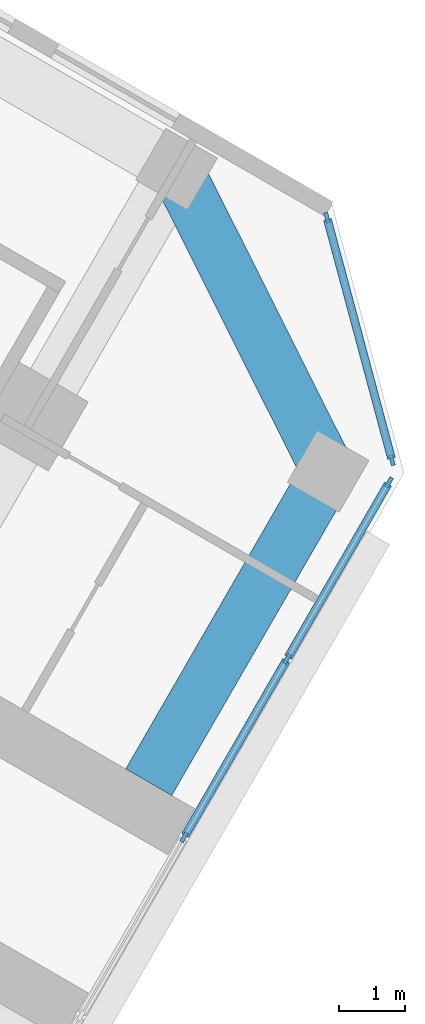
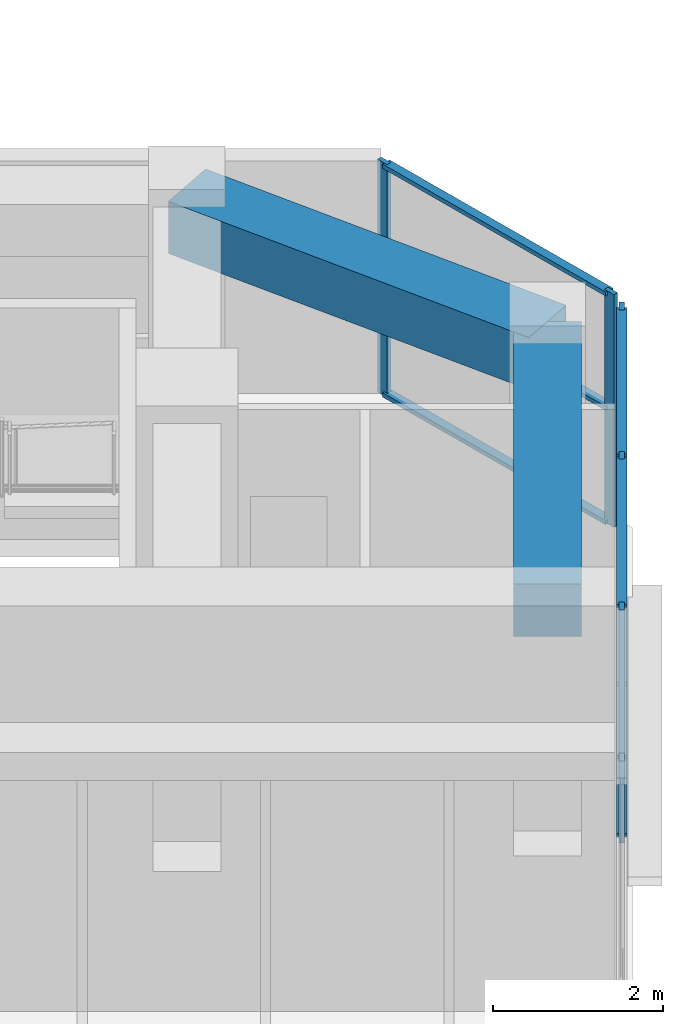
# One storey, part 8 of 19: 12 members, 2 beams, 2 elements without a shape of their own.
"""IFC4 building model written with IfcOpenShell, lengths in metres."""

import ifcopenshell
import ifcopenshell.guid

model = None  # the IFC model being written
_history = None  # IfcOwnerHistory: only IFC2X3 demands one
_inside = {}  # id of a spatial element -> (the spatial element, [elements in it])
_under = {}  # id of a project, library or spatial element -> (it, [spatial elements below it])
_declared = {}  # id of a project -> (the project, [libraries it declares])
_typed = {}  # id of a type object -> (the type object, [elements of that type])
_made_of = {}  # id of a material, layer set ... -> (it, [elements and type objects made of it])


def new_model(schema):
    """Start an empty IFC model of exactly this schema.

    Asked for "IFC4X3", IfcOpenShell would pick the latest addendum, in which some entities
    have other attributes; the version numbers below select the first issue.
    IFC2X3 requires an IfcOwnerHistory on every rooted entity: one is made here for all.
    """
    global model, _history
    if schema == "IFC4X3":
        model = ifcopenshell.file(schema_version=(4, 3, 0, 0))
    else:
        model = ifcopenshell.file(schema=schema)
    _inside.clear()
    _under.clear()
    _declared.clear()
    _typed.clear()
    _made_of.clear()
    _history = None
    if model.schema == "IFC2X3":
        org = make("IfcOrganization", Name="unknown")
        user = make(
            "IfcPersonAndOrganization",
            ThePerson=make("IfcPerson", FamilyName="unknown"),
            TheOrganization=org,
        )
        app = make(
            "IfcApplication",
            ApplicationDeveloper=org,
            Version="unknown",
            ApplicationFullName="unknown",
            ApplicationIdentifier="unknown",
        )
        _history = make(
            "IfcOwnerHistory",
            OwningUser=user,
            OwningApplication=app,
            ChangeAction="ADDED",
            CreationDate=0,
        )
    return model


def make(cls, **values):
    """One entity of the class cls with the attributes given. An attribute that is None is left unset."""
    return model.create_entity(
        cls, **{name: value for name, value in values.items() if value is not None}
    )


def rooted(cls, **values):
    """An entity with a GlobalId (a new one), such as an element, a storey or a relation."""
    return make(cls, GlobalId=ifcopenshell.guid.new(), OwnerHistory=_history, **values)


def si_unit(unit_type, name, prefix=None):
    """IfcSIUnit, for example si_unit("LENGTHUNIT", "METRE", prefix="MILLI")."""
    return make("IfcSIUnit", UnitType=unit_type, Prefix=prefix, Name=name)


def assignment(units):
    """IfcUnitAssignment: the units of a project."""
    return None if units is None else make("IfcUnitAssignment", Units=units)


def point(xyz):
    """IfcCartesianPoint."""
    return None if xyz is None else make("IfcCartesianPoint", Coordinates=xyz)


def direction(xyz):
    """IfcDirection."""
    return None if xyz is None else make("IfcDirection", DirectionRatios=xyz)


def frame(location, z_axis=None, x_axis=None):
    """IfcAxis2Placement3D, a coordinate frame: its origin and axes. An axis left out is left unset."""
    return make(
        "IfcAxis2Placement3D",
        Location=point(location),
        Axis=direction(z_axis),
        RefDirection=direction(x_axis),
    )


def frame_2d(location, x_axis=None):
    """IfcAxis2Placement2D, a coordinate frame in the plane: its origin and x axis."""
    return make(
        "IfcAxis2Placement2D", Location=point(location), RefDirection=direction(x_axis)
    )


def origin():
    """The frame at (0, 0, 0) with its axes left unset."""
    return frame((0.0, 0.0, 0.0))


def origin_2d():
    """The frame at (0, 0) in the plane with its x axis left unset."""
    return frame_2d((0.0, 0.0))


def place(relative_to, where):
    """IfcLocalPlacement: puts the frame where relative to a parent placement (None: the world)."""
    return make(
        "IfcLocalPlacement", PlacementRelTo=relative_to, RelativePlacement=where
    )


def context(
    kind, dimensions, precision=None, world=None, true_north=None, identifier=None
):
    """IfcGeometricRepresentationContext, for example the 3D "Model" context."""
    return make(
        "IfcGeometricRepresentationContext",
        ContextIdentifier=identifier,
        ContextType=kind,
        CoordinateSpaceDimension=dimensions,
        Precision=precision,
        WorldCoordinateSystem=world,
        TrueNorth=true_north,
    )


def subcontext(parent, identifier, kind, view, scale=None):
    """IfcGeometricRepresentationSubContext, for example "Body" below "Model"."""
    return make(
        "IfcGeometricRepresentationSubContext",
        ContextIdentifier=identifier,
        ContextType=kind,
        ParentContext=parent,
        TargetScale=scale,
        TargetView=view,
    )


def project(units=None, contexts=None):
    """IfcProject with its units and contexts."""
    return rooted(
        "IfcProject",
        Name="project",
        RepresentationContexts=contexts,
        UnitsInContext=assignment(units),
    )


def spatial(cls, under=None, at=None, **own):
    """A site, building, storey or space (cls), placed at a placement, below another one or the project."""
    s = rooted(cls, ObjectPlacement=at, **own)
    if under is not None:
        _under.setdefault(under.id(), (under, []))[1].append(s)
    return s


def profile(cls, at=None, kind="AREA", **sizes):
    """A parametric profile (cls). Its sizes go by their IFC names, for example OverallWidth=200.0."""
    return make(cls, ProfileType=kind, Position=at, **sizes)


def rectangle(**sizes):
    """IfcRectangleProfileDef."""
    return profile("IfcRectangleProfileDef", **sizes)


def extrude(swept, where, along, depth):
    """IfcExtrudedAreaSolid: the profile swept, set in the frame where, extruded along a direction by depth."""
    return make(
        "IfcExtrudedAreaSolid",
        SweptArea=swept,
        Position=where,
        ExtrudedDirection=direction(along),
        Depth=depth,
    )


def shape(context_of_items, identifier, shape_type, items):
    """IfcShapeRepresentation: the items that make up one representation, for example the "Body"."""
    return make(
        "IfcShapeRepresentation",
        ContextOfItems=context_of_items,
        RepresentationIdentifier=identifier,
        RepresentationType=shape_type,
        Items=items,
    )


def material(Name=None, Category=None):
    """IfcMaterial."""
    return make("IfcMaterial", Name=Name, Category=Category)


def material_profile(
    of_material, cross_section, Name=None, Category=None, Priority=None
):
    """IfcMaterialProfile: a cross section and its material."""
    return make(
        "IfcMaterialProfile",
        Name=Name,
        Material=of_material,
        Profile=cross_section,
        Priority=Priority,
        Category=Category,
    )


def profile_set(profiles, Name=None, composite=None):
    """IfcMaterialProfileSet."""
    return make(
        "IfcMaterialProfileSet",
        Name=Name,
        MaterialProfiles=profiles,
        CompositeProfile=composite,
    )


def made_of(thing, what):
    """Note that an element or type object is made of a material, layer set ...; save() writes the relation."""
    if what is not None:
        _made_of.setdefault(what.id(), (what, []))[1].append(thing)
    return thing


def type_object(cls, material=None, **own):
    """A type object (cls), such as IfcWallType, which elements share."""
    return made_of(rooted(cls, **own), material)


def element(
    cls,
    number,
    at=None,
    inside=None,
    cuts=None,
    type_object=None,
    material=None,
    context=None,
    identifier="Body",
    shape_type=None,
    held_by="IfcProductDefinitionShape",
    body=None,
    shapes=None,
    **own,
):
    """One element of the class cls, such as IfcWall. Its Tag is "e" and its number.

    at: its placement. inside: the storey or other place that contains it. cuts: it is an
    opening in that element (IfcRelVoidsElement). A single representation is given by context,
    identifier, shape_type and body (its items); several are given by shapes. held_by: the class
    of the entity that holds the representations. save() writes the other relations.
    """
    e = rooted(cls, Tag="e%d" % number, ObjectPlacement=at, **own)
    if body is not None:
        shapes = [shape(context, identifier, shape_type, body)]
    if shapes is not None:
        e.Representation = make(held_by, Representations=shapes)
    if inside is not None:
        _inside.setdefault(inside.id(), (inside, []))[1].append(e)
    if cuts is not None:
        rooted(
            "IfcRelVoidsElement", RelatingBuildingElement=cuts, RelatedOpeningElement=e
        )
    if type_object is not None:
        _typed.setdefault(type_object.id(), (type_object, []))[1].append(e)
    return made_of(e, material)


def aggregate(whole, parts):
    """IfcRelAggregates: a whole, such as a stair, and the parts it consists of."""
    return rooted("IfcRelAggregates", RelatingObject=whole, RelatedObjects=parts)


def save(model, path):
    """Write the relations noted so far, then the file.

    IfcRelAggregates (storeys below a building ...), IfcRelContainedInSpatialStructure (elements
    in a storey), IfcRelDefinesByType, IfcRelAssociatesMaterial and IfcRelDeclares: one each for
    every whole, place, type object, material and project.
    """
    for whole, parts in _under.values():
        aggregate(whole, parts)
    for where, things in _inside.values():
        rooted(
            "IfcRelContainedInSpatialStructure",
            RelatedElements=things,
            RelatingStructure=where,
        )
    for kind, things in _typed.values():
        rooted("IfcRelDefinesByType", RelatedObjects=things, RelatingType=kind)
    for what, things in _made_of.values():
        rooted("IfcRelAssociatesMaterial", RelatedObjects=things, RelatingMaterial=what)
    for by, libraries in _declared.values():
        rooted("IfcRelDeclares", RelatingContext=by, RelatedDefinitions=libraries)
    model.write(path)


model = new_model("IFC4")

# Units and contexts
model_context = context("Model", 3, precision=1e-05, world=origin(), true_north=direction((0.0, 1.0)))
body_context = subcontext(model_context, "Body", "Model", "MODEL_VIEW")
ifc_project = project(units=[si_unit("LENGTHUNIT", "METRE"), si_unit("AREAUNIT", "SQUARE_METRE"), si_unit("VOLUMEUNIT", "CUBIC_METRE"), si_unit("PLANEANGLEUNIT", "RADIAN"), si_unit("MASSUNIT", "GRAM", prefix="KILO")], contexts=[model_context])

# Site, building, storey
site_placement = place(None, origin())
site = spatial("IfcSite", under=ifc_project, at=site_placement, CompositionType="ELEMENT")
building_placement = place(site_placement, origin())
building = spatial("IfcBuilding", under=site, at=building_placement, Name="Kosmar Iwan School Tower", CompositionType="ELEMENT")
storey_placement = place(building_placement, frame((0.0, 0.0, 134.60009765625)))
storey = spatial("IfcBuildingStorey", under=building, at=storey_placement, Name="L33", CompositionType="ELEMENT", Elevation=134.60009765625)

# Curtain wall, members
ifc_material_1 = material(Name="Dark glass in black aluminium frame", Category="aluminium")
curtain_wall_type_1 = type_object("IfcCurtainWallType", Name="Tower curtain wall dark glass", PredefinedType="USERDEFINED", material=ifc_material_1)
curtain_wall_1_placement = place(storey_placement, origin())
curtain_wall_1 = element("IfcCurtainWall", 1, at=curtain_wall_1_placement, inside=storey, type_object=curtain_wall_type_1, Name="Curtain wall L33-F03", ObjectType="UNITISED CURTAIN WALL", PredefinedType="USERDEFINED")
ifc_material_2 = material(Name="Black anodised aluminium", Category="aluminium")
ifc_material_profile_1 = material_profile(ifc_material_2, rectangle(XDim=0.06005859375, YDim=0.159912109375, at=origin_2d()), Name="MULLION 60x160")
ifc_profile_set_1 = profile_set([ifc_material_profile_1], Name="Black anodised aluminium")
member_type_1 = type_object("IfcMemberType", Name="Mullion 60x160", PredefinedType="MULLION", material=ifc_profile_set_1)
member_1_placement = place(storey_placement, frame((30.631103515625, -15.8955078125, 0.0), z_axis=(0.0, 0.0, 1.0), x_axis=(-0.866025405329, 0.499999997325, 0.0)))
member_1 = element("IfcMember", 2, at=member_1_placement, type_object=member_type_1, Name="CW1 mullion 4", PredefinedType="MULLION", context=body_context, shape_type="SweptSolid", body=[
    extrude(rectangle(XDim=0.06005859375, YDim=0.159912109375, at=origin_2d()), origin(), (0.0, 0.0, 1.0), 3.349853515625),
])
member_2_placement = place(storey_placement, frame((32.1806640625, -13.21142578125, 0.0), z_axis=(0.0, 0.0, 1.0), x_axis=(-0.866025405329, 0.499999997325, 0.0)))
member_2 = element("IfcMember", 3, at=member_2_placement, type_object=member_type_1, Name="CW1 mullion 5", PredefinedType="MULLION", context=body_context, shape_type="SweptSolid", body=[
    extrude(rectangle(XDim=0.06005859375, YDim=0.159912109375, at=origin_2d()), origin(), (0.0, 0.0, 1.0), 3.349853515625),
])
member_3_placement = place(storey_placement, frame((33.71533203125, -10.55322265625, 0.0), z_axis=(0.0, 0.0, 1.0), x_axis=(-0.866025405329, 0.499999997325, 0.0)))
member_3 = element("IfcMember", 4, at=member_3_placement, type_object=member_type_1, Name="CW1 mullion 6", PredefinedType="MULLION", context=body_context, shape_type="SweptSolid", body=[
    extrude(rectangle(XDim=0.06005859375, YDim=0.159912109375, at=origin_2d()), origin(), (0.0, 0.0, 1.0), 3.349853515625),
])

ifc_material_3 = material(Name="Dark glass in black aluminium frame", Category="aluminium")
curtain_wall_type_2 = type_object("IfcCurtainWallType", Name="Chamfer curtain wall dark glass", PredefinedType="USERDEFINED", material=ifc_material_3)
curtain_wall_2_placement = place(storey_placement, origin())
curtain_wall_2 = element("IfcCurtainWall", 5, at=curtain_wall_2_placement, inside=storey, type_object=curtain_wall_type_2, Name="Curtain wall L33-F04", ObjectType="FACETED CURTAIN WALL", PredefinedType="USERDEFINED")
member_4_placement = place(storey_placement, frame((33.7587890625, -10.2236328125, 0.0), z_axis=(0.0, 0.0, 1.0), x_axis=(-0.965925875495, -0.258818861462, 0.0)))
member_4 = element("IfcMember", 6, at=member_4_placement, type_object=member_type_1, Name="CW2 mullion 1", PredefinedType="MULLION", context=body_context, shape_type="SweptSolid", body=[
    extrude(rectangle(XDim=0.06005859375, YDim=0.159912109375, at=origin_2d()), origin(), (0.0, 0.0, 1.0), 3.349853515625),
])
member_5_placement = place(storey_placement, frame((32.78076171875, -6.5732421875, 0.0), z_axis=(0.0, 0.0, 1.0), x_axis=(-0.965925875495, -0.258818861462, 0.0)))
member_5 = element("IfcMember", 7, at=member_5_placement, type_object=member_type_1, Name="CW2 mullion 2", PredefinedType="MULLION", context=body_context, shape_type="SweptSolid", body=[
    extrude(rectangle(XDim=0.06005859375, YDim=0.159912109375, at=origin_2d()), origin(), (0.0, 0.0, 1.0), 3.349853515625),
])

# Beams
ifc_material_4 = material(Name="Concrete C50/60", Category="concrete")
ifc_material_profile_2 = material_profile(ifc_material_4, rectangle(XDim=0.800048828125, YDim=0.75, at=origin_2d()), Name="RC 800x750")
ifc_profile_set_2 = profile_set([ifc_material_profile_2], Name="Concrete C50/60")
beam_type = type_object("IfcBeamType", Name="RC tip beam 800x750", PredefinedType="BEAM", material=ifc_profile_set_2)
beam_1_placement = place(storey_placement, frame((30.517822265625, -5.841552734375, 2.974853515625), z_axis=(0.44809604203, -0.893985423325, 0.0), x_axis=(0.893985423325, 0.44809604203, 0.0)))
element("IfcBeam", 8, at=beam_1_placement, inside=storey, type_object=beam_type, Name="Tip beam CL", PredefinedType="BEAM", context=body_context, shape_type="SweptSolid", body=[
    extrude(rectangle(XDim=0.800048828125, YDim=0.75, at=origin_2d()), origin(), (0.0, 0.0, 1.0), 5.08935546875),
])
beam_2_placement = place(storey_placement, frame((32.79833984375, -10.391357421875, 2.974853515625), z_axis=(-0.499995103361, -0.866028230842, 0.0), x_axis=(0.866028230842, -0.499995103361, 0.0)))
element("IfcBeam", 9, at=beam_2_placement, inside=storey, type_object=beam_type, Name="Tip beam CL to corridor wall", PredefinedType="BEAM", context=body_context, shape_type="SweptSolid", body=[
    extrude(rectangle(XDim=0.800048828125, YDim=0.75, at=origin_2d()), origin(), (0.0, 0.0, 1.0), 5.39990234375),
])

# Member
ifc_material_5 = material(Name="Black anodised aluminium", Category="aluminium")
ifc_material_profile_3 = material_profile(ifc_material_5, rectangle(XDim=0.1201171875, YDim=0.06005859375, at=origin_2d()), Name="TRANSOM 60x120")
ifc_profile_set_3 = profile_set([ifc_material_profile_3], Name="Black anodised aluminium")
member_type_2 = type_object("IfcMemberType", Name="Transom 60x120", PredefinedType="USERDEFINED", material=ifc_profile_set_3)
member_6_placement = place(storey_placement, frame((30.64599609375, -15.869384765625, 0.02978515625), z_axis=(0.500035348339, 0.866004994449, 0.0), x_axis=(-0.866004994449, 0.500035348339, 0.0)))
member_6 = element("IfcMember", 10, at=member_6_placement, type_object=member_type_2, Name="CW1 transom 4.1", ObjectType="TRANSOM", PredefinedType="USERDEFINED", context=body_context, shape_type="SweptSolid", body=[
    extrude(rectangle(XDim=0.1201171875, YDim=0.06005859375, at=origin_2d()), origin(), (0.0, 0.0, 1.0), 3.039306640625),
])

member_7_placement = place(storey_placement, frame((30.64599609375, -15.869384765625, 3.31982421875), z_axis=(0.500035348339, 0.866004994449, 0.0), x_axis=(-0.866004994449, 0.500035348339, 0.0)))
member_7 = element("IfcMember", 11, at=member_7_placement, type_object=member_type_2, Name="CW1 transom 4.2", ObjectType="TRANSOM", PredefinedType="USERDEFINED", context=body_context, shape_type="SweptSolid", body=[
    extrude(rectangle(XDim=0.1201171875, YDim=0.06005859375, at=origin_2d()), origin(), (0.0, 0.0, 1.0), 3.039306640625),
])

member_8_placement = place(storey_placement, frame((32.19580078125, -13.185302734375, 0.02978515625), z_axis=(0.500022102064, 0.866012642776, 0.0), x_axis=(-0.866012642776, 0.500022102064, 0.0)))
member_8 = element("IfcMember", 12, at=member_8_placement, type_object=member_type_2, Name="CW1 transom 5.1", ObjectType="TRANSOM", PredefinedType="USERDEFINED", context=body_context, shape_type="SweptSolid", body=[
    extrude(rectangle(XDim=0.1201171875, YDim=0.06005859375, at=origin_2d()), origin(), (0.0, 0.0, 1.0), 3.009033203125),
])

member_9_placement = place(storey_placement, frame((32.19580078125, -13.185302734375, 3.31982421875), z_axis=(0.500022102064, 0.866012642776, 0.0), x_axis=(-0.866012642776, 0.500022102064, 0.0)))
member_9 = element("IfcMember", 13, at=member_9_placement, type_object=member_type_2, Name="CW1 transom 5.2", ObjectType="TRANSOM", PredefinedType="USERDEFINED", context=body_context, shape_type="SweptSolid", body=[
    extrude(rectangle(XDim=0.1201171875, YDim=0.06005859375, at=origin_2d()), origin(), (0.0, 0.0, 1.0), 3.009033203125),
])

aggregate(curtain_wall_1, [member_1, member_2, member_3, member_6, member_7, member_8, member_9])

member_10_placement = place(storey_placement, frame((33.7509765625, -10.194580078125, 0.02978515625), z_axis=(-0.258843273983, 0.965919333854, 0.0), x_axis=(-0.965919333854, -0.258843273983, 0.0)))
member_10 = element("IfcMember", 14, at=member_10_placement, type_object=member_type_2, Name="CW2 transom 1.1", ObjectType="TRANSOM", PredefinedType="USERDEFINED", context=body_context, shape_type="SweptSolid", body=[
    extrude(rectangle(XDim=0.1201171875, YDim=0.06005859375, at=origin_2d()), origin(), (0.0, 0.0, 1.0), 3.718994140625),
])

member_11_placement = place(storey_placement, frame((33.7509765625, -10.194580078125, 1.6748046875), z_axis=(-0.258843273983, 0.965919333854, 0.0), x_axis=(-0.965919333854, -0.258843273983, 0.0)))
member_11 = element("IfcMember", 15, at=member_11_placement, type_object=member_type_2, Name="CW2 transom 1.2", ObjectType="TRANSOM", PredefinedType="USERDEFINED", context=body_context, shape_type="SweptSolid", body=[
    extrude(rectangle(XDim=0.1201171875, YDim=0.06005859375, at=origin_2d()), origin(), (0.0, 0.0, 1.0), 3.718994140625),
])

member_12_placement = place(storey_placement, frame((33.7509765625, -10.194580078125, 3.31982421875), z_axis=(-0.258843273983, 0.965919333854, 0.0), x_axis=(-0.965919333854, -0.258843273983, 0.0)))
member_12 = element("IfcMember", 16, at=member_12_placement, type_object=member_type_2, Name="CW2 transom 1.3", ObjectType="TRANSOM", PredefinedType="USERDEFINED", context=body_context, shape_type="SweptSolid", body=[
    extrude(rectangle(XDim=0.1201171875, YDim=0.06005859375, at=origin_2d()), origin(), (0.0, 0.0, 1.0), 3.718994140625),
])

aggregate(curtain_wall_2, [member_4, member_5, member_10, member_11, member_12])

save(model, "model.ifc")
